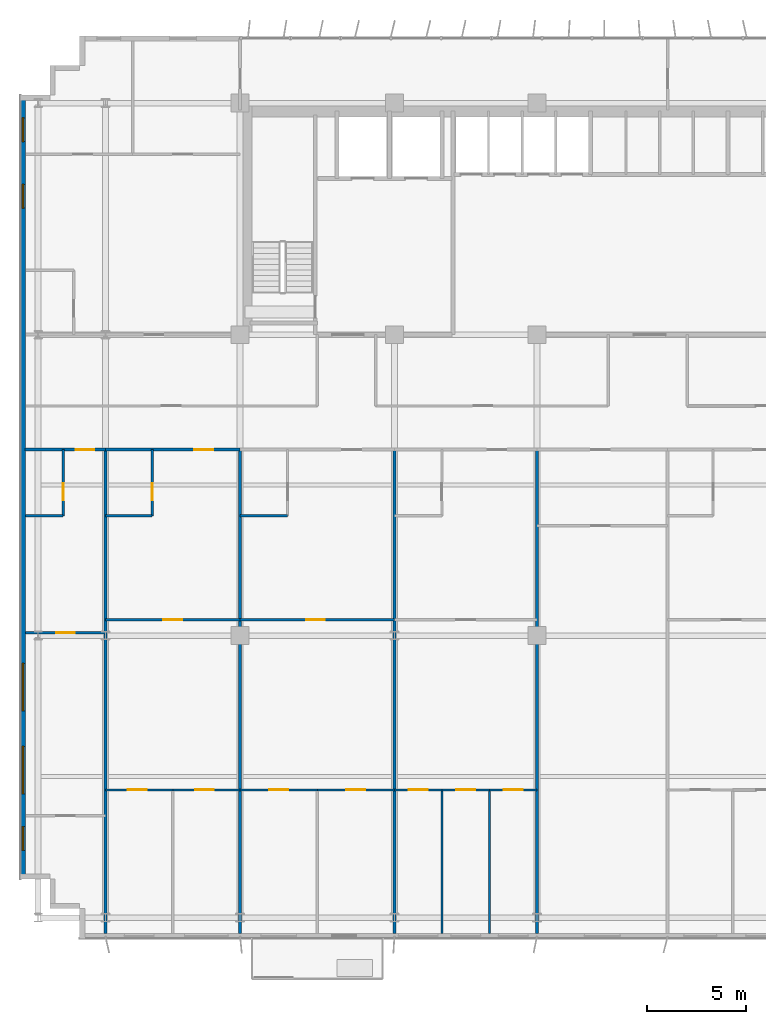
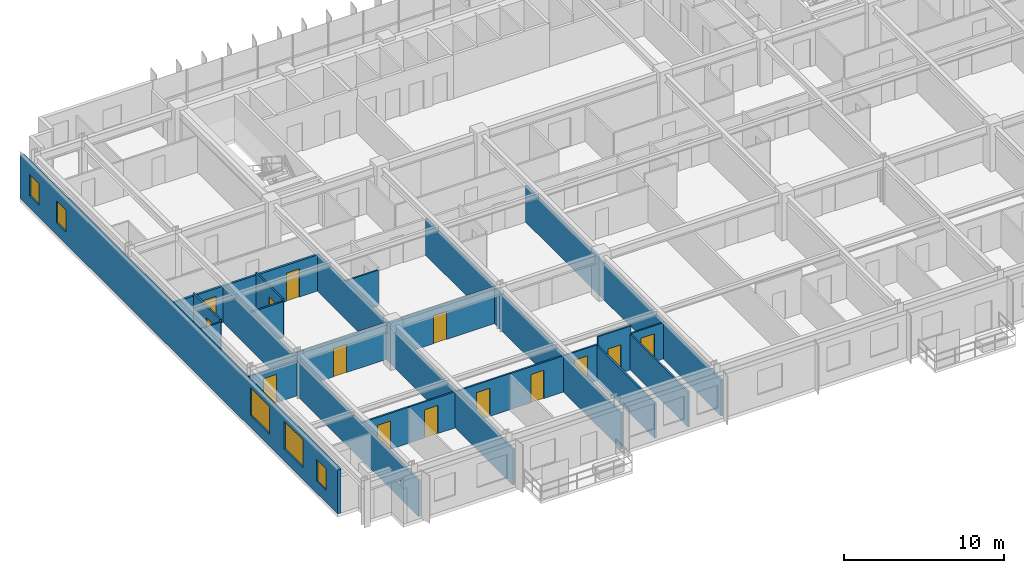
# One storey, part 15 of 24: 24 walls, 14 doors, 5 windows, 19 openings.
"""IFC4 building model written with IfcOpenShell, lengths in metres."""

from ifc_helpers import new_model, si_unit, direction, frame, frame_2d, origin, place, context, subcontext, project, spatial, rectangle, extrude, source, transform, mapped, material, layer, layer_set, type_object, element, fill, save


model = new_model("IFC4")

# Units and contexts
model_context = context("Model", 3, precision=1e-05, world=origin(), true_north=direction((0.0, 1.0)))
body_context = subcontext(model_context, "Body", "Model", "MODEL_VIEW")
ifc_project = project(units=[si_unit("LENGTHUNIT", "METRE"), si_unit("AREAUNIT", "SQUARE_METRE"), si_unit("VOLUMEUNIT", "CUBIC_METRE"), si_unit("PLANEANGLEUNIT", "RADIAN"), si_unit("MASSUNIT", "GRAM", prefix="KILO")], contexts=[model_context])

# Site, building, storey
site_placement = place(None, origin())
site = spatial("IfcSite", under=ifc_project, at=site_placement, CompositionType="ELEMENT")
building_placement = place(site_placement, origin())
building = spatial("IfcBuilding", under=site, at=building_placement, Name="Trelvane Seafront Commons", CompositionType="ELEMENT")
storey_placement = place(building_placement, frame((0.0, 0.0, 30.699951171875)))
storey = spatial("IfcBuildingStorey", under=building, at=storey_placement, Name="L07", CompositionType="ELEMENT", Elevation=30.699951171875)

# Wall, openings, windows
ifc_material_1 = material(Name="Precast concrete C40/50", Category="concrete")
ifc_layer_1 = layer(ifc_material_1, 0.260009765625, Name="ARCH-WALL-EXT260")
ifc_layer_set_1 = layer_set([ifc_layer_1], Name="Precast concrete C40/50")
wall_type_1 = type_object("IfcWallType", Name="ARCH-WALL-EXT260", PredefinedType="SOLIDWALL", material=ifc_layer_set_1)
wall_1_placement = place(storey_placement, frame((4.6298828125, 5.89990234375, 0.0), z_axis=(0.0, 0.0, 1.0), x_axis=(0.0, 1.0, 0.0)))
wall_1 = element("IfcWall", 1, at=wall_1_placement, inside=storey, type_object=wall_type_1, Name="EW-L07-00092", PredefinedType="SOLIDWALL", context=body_context, shape_type="SweptSolid", body=[
    extrude(rectangle(XDim=39.60009765625, YDim=0.260009765625, at=frame_2d((19.800048828125, 0.0))), origin(), (0.0, 0.0, 1.0), 3.340087890625),
])
opening_1_placement = place(wall_1_placement, frame((1.449951171875, 0.0, 0.919921875)))
opening_1 = element("IfcOpeningElement", 2, at=opening_1_placement, cuts=wall_1, Name="Opening W05", PredefinedType="OPENING", context=body_context, shape_type="SweptSolid", body=[
    extrude(rectangle(XDim=1.199951171875, YDim=1.64990234375, at=frame_2d((0.60009765625, 0.824951171875))), frame((0.0, 0.139892578125, 0.0), z_axis=(0.0, -1.0, 0.0), x_axis=(1.0, 0.0, 0.0)), (0.0, 0.0, 1.0), 0.280029296875),
])
opening_2_placement = place(wall_1_placement, frame((4.300048828125, 0.0, 0.919921875)))
opening_2 = element("IfcOpeningElement", 3, at=opening_2_placement, cuts=wall_1, Name="Opening W08", PredefinedType="OPENING", context=body_context, shape_type="SweptSolid", body=[
    extrude(rectangle(XDim=2.39990234375, YDim=2.10009765625, at=frame_2d((1.199951171875, 1.050048828125))), frame((0.0, 0.139892578125, 0.0), z_axis=(0.0, -1.0, 0.0), x_axis=(1.0, 0.0, 0.0)), (0.0, 0.0, 1.0), 0.280029296875),
])
opening_3_placement = place(wall_1_placement, frame((8.5, 0.0, 0.919921875)))
opening_3 = element("IfcOpeningElement", 4, at=opening_3_placement, cuts=wall_1, Name="Opening W08", PredefinedType="OPENING", context=body_context, shape_type="SweptSolid", body=[
    extrude(rectangle(XDim=2.39990234375, YDim=2.10009765625, at=frame_2d((1.199951171875, 1.050048828125))), frame((0.0, 0.139892578125, 0.0), z_axis=(0.0, -1.0, 0.0), x_axis=(1.0, 0.0, 0.0)), (0.0, 0.0, 1.0), 0.280029296875),
])
opening_4_placement = place(wall_1_placement, frame((33.89990234375, 0.0, 0.919921875)))
opening_4 = element("IfcOpeningElement", 5, at=opening_4_placement, cuts=wall_1, Name="Opening W05", PredefinedType="OPENING", context=body_context, shape_type="SweptSolid", body=[
    extrude(rectangle(XDim=1.199951171875, YDim=1.64990234375, at=frame_2d((0.60009765625, 0.824951171875))), frame((0.0, 0.139892578125, 0.0), z_axis=(0.0, -1.0, 0.0), x_axis=(1.0, 0.0, 0.0)), (0.0, 0.0, 1.0), 0.280029296875),
])
opening_5_placement = place(wall_1_placement, frame((37.25, 0.0, 0.919921875)))
opening_5 = element("IfcOpeningElement", 6, at=opening_5_placement, cuts=wall_1, Name="Opening W05", PredefinedType="OPENING", context=body_context, shape_type="SweptSolid", body=[
    extrude(rectangle(XDim=1.199951171875, YDim=1.64990234375, at=frame_2d((0.60009765625, 0.824951171875))), frame((0.0, 0.139892578125, 0.0), z_axis=(0.0, -1.0, 0.0), x_axis=(1.0, 0.0, 0.0)), (0.0, 0.0, 1.0), 0.280029296875),
])
ifc_material_2 = material(Name="Low-E coastal double glazing", Category="glass")
window_type_1 = type_object("IfcWindowType", Name="ARCH-WIN-W08", PartitioningType="SINGLE_PANEL", PredefinedType="WINDOW", material=ifc_material_2)
shared_shape_1 = source(origin(), body_context, "Body", "SweptSolid", [
    extrude(rectangle(XDim=2.39990234375, YDim=2.10009765625, at=frame_2d((1.199951171875, 1.050048828125))), frame((0.0, 0.030029296875, 0.0), z_axis=(0.0, -1.0, 0.0), x_axis=(1.0, 0.0, 0.0)), (0.0, 0.0, 1.0), 0.06005859375),
])
window_1_placement = place(opening_2_placement, origin())
window_1 = element("IfcWindow", 7, at=window_1_placement, inside=storey, type_object=window_type_1, Name="WIN-L07-EW-00133", OverallHeight=2.10009765625, OverallWidth=2.39990234375, PartitioningType="SINGLE_PANEL", PredefinedType="WINDOW", context=body_context, shape_type="MappedRepresentation", body=[
    mapped(shared_shape_1, transform((0.0, 0.0, 0.0), x_axis=(1.0, 0.0, 0.0), y_axis=(0.0, 1.0, 0.0), z_axis=(0.0, 0.0, 1.0), scale=1.0)),
])
fill(opening_2, window_1)
window_2_placement = place(opening_3_placement, origin())
window_2 = element("IfcWindow", 8, at=window_2_placement, inside=storey, type_object=window_type_1, Name="WIN-L07-EW-00134", OverallHeight=2.10009765625, OverallWidth=2.39990234375, PartitioningType="SINGLE_PANEL", PredefinedType="WINDOW", context=body_context, shape_type="MappedRepresentation", body=[
    mapped(shared_shape_1, transform((0.0, 0.0, 0.0), x_axis=(1.0, 0.0, 0.0), y_axis=(0.0, 1.0, 0.0), z_axis=(0.0, 0.0, 1.0), scale=1.0)),
])
fill(opening_3, window_2)
window_type_2 = type_object("IfcWindowType", Name="ARCH-WIN-W05", PartitioningType="SINGLE_PANEL", PredefinedType="WINDOW", material=ifc_material_2)
shared_shape_2 = source(origin(), body_context, "Body", "SweptSolid", [
    extrude(rectangle(XDim=1.199951171875, YDim=1.64990234375, at=frame_2d((0.60009765625, 0.824951171875))), frame((0.0, 0.030029296875, 0.0), z_axis=(0.0, -1.0, 0.0), x_axis=(1.0, 0.0, 0.0)), (0.0, 0.0, 1.0), 0.06005859375),
])
window_3_placement = place(opening_1_placement, origin())
window_3 = element("IfcWindow", 9, at=window_3_placement, inside=storey, type_object=window_type_2, Name="WIN-L07-EW-00132", OverallHeight=1.64990234375, OverallWidth=1.199951171875, PartitioningType="SINGLE_PANEL", PredefinedType="WINDOW", context=body_context, shape_type="MappedRepresentation", body=[
    mapped(shared_shape_2, transform((0.0, 0.0, 0.0), x_axis=(1.0, 0.0, 0.0), y_axis=(0.0, 1.0, 0.0), z_axis=(0.0, 0.0, 1.0), scale=1.0)),
])
fill(opening_1, window_3)
window_4_placement = place(opening_4_placement, origin())
window_4 = element("IfcWindow", 10, at=window_4_placement, inside=storey, type_object=window_type_2, Name="WIN-L07-EW-00135", OverallHeight=1.64990234375, OverallWidth=1.199951171875, PartitioningType="SINGLE_PANEL", PredefinedType="WINDOW", context=body_context, shape_type="MappedRepresentation", body=[
    mapped(shared_shape_2, transform((0.0, 0.0, 0.0), x_axis=(1.0, 0.0, 0.0), y_axis=(0.0, 1.0, 0.0), z_axis=(0.0, 0.0, 1.0), scale=1.0)),
])
fill(opening_4, window_4)
window_5_placement = place(opening_5_placement, origin())
window_5 = element("IfcWindow", 11, at=window_5_placement, inside=storey, type_object=window_type_2, Name="WIN-L07-EW-00136", OverallHeight=1.64990234375, OverallWidth=1.199951171875, PartitioningType="SINGLE_PANEL", PredefinedType="WINDOW", context=body_context, shape_type="MappedRepresentation", body=[
    mapped(shared_shape_2, transform((0.0, 0.0, 0.0), x_axis=(1.0, 0.0, 0.0), y_axis=(0.0, 1.0, 0.0), z_axis=(0.0, 0.0, 1.0), scale=1.0)),
])
fill(opening_5, window_5)

# Wall, opening, door
ifc_material_3 = material(Name="Gypsum Drywall Acoustic Partition")
ifc_layer_2 = layer(ifc_material_3, 0.1201171875, Name="ARCH-WALL-PART120")
ifc_layer_set_2 = layer_set([ifc_layer_2], Name="Gypsum Drywall Acoustic Partition")
wall_type_2 = type_object("IfcWallType", Name="ARCH-WALL-PART120", PredefinedType="PARTITIONING", material=ifc_layer_set_2)
wall_2_placement = place(storey_placement, frame((4.760009765625, 18.35009765625, 0.0), z_axis=(0.0, 0.0, 1.0), x_axis=(1.0, 0.0, 0.0)))
wall_2 = element("IfcWall", 12, at=wall_2_placement, inside=storey, type_object=wall_type_2, Name="W-L07-U1-KL-074", PredefinedType="PARTITIONING", context=body_context, shape_type="SweptSolid", body=[
    extrude(rectangle(XDim=4.0400390625, YDim=0.1201171875, at=frame_2d((2.02001953125, 0.0))), origin(), (0.0, 0.0, 1.0), 2.68994140625),
])
opening_6_placement = place(wall_2_placement, frame((1.544921875, 0.0, 0.0)))
opening_6 = element("IfcOpeningElement", 13, at=opening_6_placement, cuts=wall_2, Name="Opening D-L07-35", PredefinedType="OPENING", context=body_context, shape_type="SweptSolid", body=[
    extrude(rectangle(XDim=0.949951171875, YDim=2.14990234375, at=frame_2d((0.47509765625, 1.074951171875))), frame((0.0, 0.070068359375, 0.0), z_axis=(0.0, -1.0, 0.0), x_axis=(1.0, 0.0, 0.0)), (0.0, 0.0, 1.0), 0.14013671875),
])
ifc_material_4 = material(Name="Acoustic timber door leaf", Category="wood")
door_type_1 = type_object("IfcDoorType", Name="ARCH-DR-INT950", OperationType="NOTDEFINED", PredefinedType="DOOR", material=ifc_material_4)
shared_shape_3 = source(origin(), body_context, "Body", "SweptSolid", [
    extrude(rectangle(XDim=0.949951171875, YDim=2.14990234375, at=frame_2d((0.47509765625, 1.074951171875))), frame((0.0, 0.02490234375, 0.0), z_axis=(0.0, -1.0, 0.0), x_axis=(1.0, 0.0, 0.0)), (0.0, 0.0, 1.0), 0.050048828125),
])
door_1_placement = place(opening_6_placement, origin())
door_1 = element("IfcDoor", 14, at=door_1_placement, inside=storey, type_object=door_type_1, Name="L07 Door 35", OperationType="SINGLE_SWING_LEFT", OverallHeight=2.14990234375, OverallWidth=0.949951171875, PredefinedType="DOOR", context=body_context, shape_type="MappedRepresentation", body=[
    mapped(shared_shape_3, transform((0.0, 0.0, 0.0), x_axis=(1.0, 0.0, 0.0), y_axis=(0.0, 1.0, 0.0), z_axis=(0.0, 0.0, 1.0), scale=1.0)),
])
fill(opening_6, door_1)

wall_3_placement = place(storey_placement, frame((6.659912109375, 24.25, 0.0), z_axis=(0.0, 0.0, 1.0), x_axis=(0.0, 1.0, 0.0)))
wall_3 = element("IfcWall", 15, at=wall_3_placement, inside=storey, type_object=wall_type_2, Name="W-L07-U1-BE-075", PredefinedType="PARTITIONING", context=body_context, shape_type="SweptSolid", body=[
    extrude(rectangle(XDim=3.35009765625, YDim=0.1201171875, at=frame_2d((1.675048828125, 0.0))), origin(), (0.0, 0.0, 1.0), 2.93994140625),
])
opening_7_placement = place(wall_3_placement, frame((0.800048828125, 0.0, 0.0)))
opening_7 = element("IfcOpeningElement", 16, at=opening_7_placement, cuts=wall_3, Name="Opening D-L07-36", PredefinedType="OPENING", context=body_context, shape_type="SweptSolid", body=[
    extrude(rectangle(XDim=0.85009765625, YDim=2.10009765625, at=frame_2d((0.425048828125, 1.050048828125))), frame((0.0, 0.070068359375, 0.0), z_axis=(0.0, -1.0, 0.0), x_axis=(1.0, 0.0, 0.0)), (0.0, 0.0, 1.0), 0.14013671875),
])
door_type_2 = type_object("IfcDoorType", Name="ARCH-DR-INT850", OperationType="NOTDEFINED", PredefinedType="DOOR", material=ifc_material_4)
shared_shape_4 = source(origin(), body_context, "Body", "SweptSolid", [
    extrude(rectangle(XDim=0.85009765625, YDim=2.10009765625, at=frame_2d((0.425048828125, 1.050048828125))), frame((0.0, 0.02490234375, 0.0), z_axis=(0.0, -1.0, 0.0), x_axis=(1.0, 0.0, 0.0)), (0.0, 0.0, 1.0), 0.050048828125),
])
door_2_placement = place(opening_7_placement, origin())
door_2 = element("IfcDoor", 17, at=door_2_placement, inside=storey, type_object=door_type_2, Name="L07 Door 36", OperationType="SINGLE_SWING_RIGHT", OverallHeight=2.10009765625, OverallWidth=0.85009765625, PredefinedType="DOOR", context=body_context, shape_type="MappedRepresentation", body=[
    mapped(shared_shape_4, transform((0.0, 0.0, 0.0), x_axis=(1.0, 0.0, 0.0), y_axis=(0.0, 1.0, 0.0), z_axis=(0.0, 0.0, 1.0), scale=1.0)),
])
fill(opening_7, door_2)

# Wall
wall_4_placement = place(storey_placement, frame((4.760009765625, 24.25, 0.0), z_axis=(0.0, 0.0, 1.0), x_axis=(1.0, 0.0, 0.0)))
element("IfcWall", 18, at=wall_4_placement, inside=storey, type_object=wall_type_2, Name="W-L07-U1-BS-076", PredefinedType="PARTITIONING", context=body_context, shape_type="SweptSolid", body=[
    extrude(rectangle(XDim=1.89990234375, YDim=0.1201171875, at=frame_2d((0.949951171875, 0.0))), origin(), (0.0, 0.0, 1.0), 2.751953125),
])

# Wall, opening, door
wall_5_placement = place(storey_placement, frame((8.800048828125, 19.0, 0.0), z_axis=(0.0, 0.0, 1.0), x_axis=(1.0, 0.0, 0.0)))
wall_5 = element("IfcWall", 19, at=wall_5_placement, inside=storey, type_object=wall_type_2, Name="W-L07-U2-KL-079", PredefinedType="PARTITIONING", context=body_context, shape_type="SweptSolid", body=[
    extrude(rectangle(XDim=6.800048828125, YDim=0.1201171875, at=frame_2d((3.39990234375, 0.0))), origin(), (0.0, 0.0, 1.0), 2.751953125),
])
opening_8_placement = place(wall_5_placement, frame((2.925048828125, 0.0, 0.0)))
opening_8 = element("IfcOpeningElement", 20, at=opening_8_placement, cuts=wall_5, Name="Opening D-L07-39", PredefinedType="OPENING", context=body_context, shape_type="SweptSolid", body=[
    extrude(rectangle(XDim=0.949951171875, YDim=2.14990234375, at=frame_2d((0.47509765625, 1.074951171875))), frame((0.0, 0.070068359375, 0.0), z_axis=(0.0, -1.0, 0.0), x_axis=(1.0, 0.0, 0.0)), (0.0, 0.0, 1.0), 0.14013671875),
])
door_3_placement = place(opening_8_placement, origin())
door_3 = element("IfcDoor", 21, at=door_3_placement, inside=storey, type_object=door_type_1, Name="L07 Door 39", OperationType="SINGLE_SWING_LEFT", OverallHeight=2.14990234375, OverallWidth=0.949951171875, PredefinedType="DOOR", context=body_context, shape_type="MappedRepresentation", body=[
    mapped(shared_shape_3, transform((0.0, 0.0, 0.0), x_axis=(1.0, 0.0, 0.0), y_axis=(0.0, 1.0, 0.0), z_axis=(0.0, 0.0, 1.0), scale=1.0)),
])
fill(opening_8, door_3)

wall_6_placement = place(storey_placement, frame((11.162109375, 24.25, 0.0), z_axis=(0.0, 0.0, 1.0), x_axis=(0.0, 1.0, 0.0)))
wall_6 = element("IfcWall", 22, at=wall_6_placement, inside=storey, type_object=wall_type_2, Name="W-L07-U2-BE-080", PredefinedType="PARTITIONING", context=body_context, shape_type="SweptSolid", body=[
    extrude(rectangle(XDim=3.35009765625, YDim=0.1201171875, at=frame_2d((1.675048828125, 0.0))), origin(), (0.0, 0.0, 1.0), 2.93994140625),
])
opening_9_placement = place(wall_6_placement, frame((0.800048828125, 0.0, 0.0)))
opening_9 = element("IfcOpeningElement", 23, at=opening_9_placement, cuts=wall_6, Name="Opening D-L07-40", PredefinedType="OPENING", context=body_context, shape_type="SweptSolid", body=[
    extrude(rectangle(XDim=0.85009765625, YDim=2.10009765625, at=frame_2d((0.425048828125, 1.050048828125))), frame((0.0, 0.070068359375, 0.0), z_axis=(0.0, -1.0, 0.0), x_axis=(1.0, 0.0, 0.0)), (0.0, 0.0, 1.0), 0.14013671875),
])
door_4_placement = place(opening_9_placement, origin())
door_4 = element("IfcDoor", 24, at=door_4_placement, inside=storey, type_object=door_type_2, Name="L07 Door 40", OperationType="SINGLE_SWING_RIGHT", OverallHeight=2.10009765625, OverallWidth=0.85009765625, PredefinedType="DOOR", context=body_context, shape_type="MappedRepresentation", body=[
    mapped(shared_shape_4, transform((0.0, 0.0, 0.0), x_axis=(1.0, 0.0, 0.0), y_axis=(0.0, 1.0, 0.0), z_axis=(0.0, 0.0, 1.0), scale=1.0)),
])
fill(opening_9, door_4)

# Wall
wall_7_placement = place(storey_placement, frame((8.800048828125, 24.25, 0.0), z_axis=(0.0, 0.0, 1.0), x_axis=(1.0, 0.0, 0.0)))
element("IfcWall", 25, at=wall_7_placement, inside=storey, type_object=wall_type_2, Name="W-L07-U2-BS-081", PredefinedType="PARTITIONING", context=body_context, shape_type="SweptSolid", body=[
    extrude(rectangle(XDim=2.362060546875, YDim=0.1201171875, at=frame_2d((1.18115234375, 0.0))), origin(), (0.0, 0.0, 1.0), 2.751953125),
])

# Wall, opening, door
wall_8_placement = place(storey_placement, frame((8.800048828125, 10.39990234375, 0.0), z_axis=(0.0, 0.0, 1.0), x_axis=(1.0, 0.0, 0.0)))
wall_8 = element("IfcWall", 26, at=wall_8_placement, inside=storey, type_object=wall_type_2, Name="W-L07-U2-YM-1-083", PredefinedType="PARTITIONING", context=body_context, shape_type="SweptSolid", body=[
    extrude(rectangle(XDim=3.39990234375, YDim=0.1201171875, at=frame_2d((1.699951171875, 0.0))), origin(), (0.0, 0.0, 1.0), 2.751953125),
])
opening_10_placement = place(wall_8_placement, frame((1.131103515625, 0.0, 0.0)))
opening_10 = element("IfcOpeningElement", 27, at=opening_10_placement, cuts=wall_8, Name="Opening D-L07-42", PredefinedType="OPENING", context=body_context, shape_type="SweptSolid", body=[
    extrude(rectangle(XDim=0.949951171875, YDim=2.14990234375, at=frame_2d((0.47509765625, 1.074951171875))), frame((0.0, 0.070068359375, 0.0), z_axis=(0.0, -1.0, 0.0), x_axis=(1.0, 0.0, 0.0)), (0.0, 0.0, 1.0), 0.14013671875),
])
door_5_placement = place(opening_10_placement, origin())
door_5 = element("IfcDoor", 28, at=door_5_placement, inside=storey, type_object=door_type_1, Name="L07 Door 42", OperationType="SINGLE_SWING_RIGHT", OverallHeight=2.14990234375, OverallWidth=0.949951171875, PredefinedType="DOOR", context=body_context, shape_type="MappedRepresentation", body=[
    mapped(shared_shape_3, transform((0.0, 0.0, 0.0), x_axis=(1.0, 0.0, 0.0), y_axis=(0.0, 1.0, 0.0), z_axis=(0.0, 0.0, 1.0), scale=1.0)),
])
fill(opening_10, door_5)

wall_9_placement = place(storey_placement, frame((12.199951171875, 10.39990234375, 0.0), z_axis=(0.0, 0.0, 1.0), x_axis=(1.0, 0.0, 0.0)))
wall_9 = element("IfcWall", 29, at=wall_9_placement, inside=storey, type_object=wall_type_2, Name="W-L07-U2-YM-2-084", PredefinedType="PARTITIONING", context=body_context, shape_type="SweptSolid", body=[
    extrude(rectangle(XDim=3.400146484375, YDim=0.1201171875, at=frame_2d((1.7001953125, 0.0))), origin(), (0.0, 0.0, 1.0), 2.751953125),
])
opening_11_placement = place(wall_9_placement, frame((1.131103515625, 0.0, 0.0)))
opening_11 = element("IfcOpeningElement", 30, at=opening_11_placement, cuts=wall_9, Name="Opening D-L07-43", PredefinedType="OPENING", context=body_context, shape_type="SweptSolid", body=[
    extrude(rectangle(XDim=0.949951171875, YDim=2.14990234375, at=frame_2d((0.47509765625, 1.074951171875))), frame((0.0, 0.070068359375, 0.0), z_axis=(0.0, -1.0, 0.0), x_axis=(1.0, 0.0, 0.0)), (0.0, 0.0, 1.0), 0.14013671875),
])
door_6_placement = place(opening_11_placement, origin())
door_6 = element("IfcDoor", 31, at=door_6_placement, inside=storey, type_object=door_type_1, Name="L07 Door 43", OperationType="SINGLE_SWING_LEFT", OverallHeight=2.14990234375, OverallWidth=0.949951171875, PredefinedType="DOOR", context=body_context, shape_type="MappedRepresentation", body=[
    mapped(shared_shape_3, transform((0.0, 0.0, 0.0), x_axis=(1.0, 0.0, 0.0), y_axis=(0.0, 1.0, 0.0), z_axis=(0.0, 0.0, 1.0), scale=1.0)),
])
fill(opening_11, door_6)

wall_10_placement = place(storey_placement, frame((15.60009765625, 19.0, 0.0), z_axis=(0.0, 0.0, 1.0), x_axis=(1.0, 0.0, 0.0)))
wall_10 = element("IfcWall", 32, at=wall_10_placement, inside=storey, type_object=wall_type_2, Name="W-L07-U3-KL-086", PredefinedType="PARTITIONING", context=body_context, shape_type="SweptSolid", body=[
    extrude(rectangle(XDim=7.7998046875, YDim=0.1201171875, at=frame_2d((3.89990234375, 0.0))), origin(), (0.0, 0.0, 1.0), 2.751953125),
])
opening_12_placement = place(wall_10_placement, frame((3.3330078125, 0.0, 0.0)))
opening_12 = element("IfcOpeningElement", 33, at=opening_12_placement, cuts=wall_10, Name="Opening D-L07-44", PredefinedType="OPENING", context=body_context, shape_type="SweptSolid", body=[
    extrude(rectangle(XDim=0.949951171875, YDim=2.14990234375, at=frame_2d((0.47509765625, 1.074951171875))), frame((0.0, 0.070068359375, 0.0), z_axis=(0.0, -1.0, 0.0), x_axis=(1.0, 0.0, 0.0)), (0.0, 0.0, 1.0), 0.14013671875),
])
door_7_placement = place(opening_12_placement, origin())
door_7 = element("IfcDoor", 34, at=door_7_placement, inside=storey, type_object=door_type_1, Name="L07 Door 44", OperationType="SINGLE_SWING_RIGHT", OverallHeight=2.14990234375, OverallWidth=0.949951171875, PredefinedType="DOOR", context=body_context, shape_type="MappedRepresentation", body=[
    mapped(shared_shape_3, transform((0.0, 0.0, 0.0), x_axis=(1.0, 0.0, 0.0), y_axis=(0.0, 1.0, 0.0), z_axis=(0.0, 0.0, 1.0), scale=1.0)),
])
fill(opening_12, door_7)

# Wall
wall_11_placement = place(storey_placement, frame((15.60009765625, 24.25, 0.0), z_axis=(0.0, 0.0, 1.0), x_axis=(1.0, 0.0, 0.0)))
element("IfcWall", 35, at=wall_11_placement, inside=storey, type_object=wall_type_2, Name="W-L07-U3-BS-088", PredefinedType="PARTITIONING", context=body_context, shape_type="SweptSolid", body=[
    extrude(rectangle(XDim=2.39990234375, YDim=0.1201171875, at=frame_2d((1.199951171875, 0.0))), origin(), (0.0, 0.0, 1.0), 2.751953125),
])

# Wall, opening, door
wall_12_placement = place(storey_placement, frame((15.60009765625, 10.39990234375, 0.0), z_axis=(0.0, 0.0, 1.0), x_axis=(1.0, 0.0, 0.0)))
wall_12 = element("IfcWall", 36, at=wall_12_placement, inside=storey, type_object=wall_type_2, Name="W-L07-U3-YM-1-090", PredefinedType="PARTITIONING", context=body_context, shape_type="SweptSolid", body=[
    extrude(rectangle(XDim=3.89990234375, YDim=0.1201171875, at=frame_2d((1.949951171875, 0.0))), origin(), (0.0, 0.0, 1.0), 2.751953125),
])
opening_13_placement = place(wall_12_placement, frame((1.47509765625, 0.0, 0.0)))
opening_13 = element("IfcOpeningElement", 37, at=opening_13_placement, cuts=wall_12, Name="Opening D-L07-47", PredefinedType="OPENING", context=body_context, shape_type="SweptSolid", body=[
    extrude(rectangle(XDim=0.949951171875, YDim=2.14990234375, at=frame_2d((0.47509765625, 1.074951171875))), frame((0.0, 0.070068359375, 0.0), z_axis=(0.0, -1.0, 0.0), x_axis=(1.0, 0.0, 0.0)), (0.0, 0.0, 1.0), 0.14013671875),
])
door_8_placement = place(opening_13_placement, origin())
door_8 = element("IfcDoor", 38, at=door_8_placement, inside=storey, type_object=door_type_1, Name="L07 Door 47", OperationType="SINGLE_SWING_LEFT", OverallHeight=2.14990234375, OverallWidth=0.949951171875, PredefinedType="DOOR", context=body_context, shape_type="MappedRepresentation", body=[
    mapped(shared_shape_3, transform((0.0, 0.0, 0.0), x_axis=(1.0, 0.0, 0.0), y_axis=(0.0, 1.0, 0.0), z_axis=(0.0, 0.0, 1.0), scale=1.0)),
])
fill(opening_13, door_8)

wall_13_placement = place(storey_placement, frame((19.5, 10.39990234375, 0.0), z_axis=(0.0, 0.0, 1.0), x_axis=(1.0, 0.0, 0.0)))
wall_13 = element("IfcWall", 39, at=wall_13_placement, inside=storey, type_object=wall_type_2, Name="W-L07-U3-YM-2-091", PredefinedType="PARTITIONING", context=body_context, shape_type="SweptSolid", body=[
    extrude(rectangle(XDim=3.89990234375, YDim=0.1201171875, at=frame_2d((1.949951171875, 0.0))), origin(), (0.0, 0.0, 1.0), 2.751953125),
])
opening_14_placement = place(wall_13_placement, frame((1.47509765625, 0.0, 0.0)))
opening_14 = element("IfcOpeningElement", 40, at=opening_14_placement, cuts=wall_13, Name="Opening D-L07-48", PredefinedType="OPENING", context=body_context, shape_type="SweptSolid", body=[
    extrude(rectangle(XDim=0.949951171875, YDim=2.14990234375, at=frame_2d((0.47509765625, 1.074951171875))), frame((0.0, 0.070068359375, 0.0), z_axis=(0.0, -1.0, 0.0), x_axis=(1.0, 0.0, 0.0)), (0.0, 0.0, 1.0), 0.14013671875),
])
door_9_placement = place(opening_14_placement, origin())
door_9 = element("IfcDoor", 41, at=door_9_placement, inside=storey, type_object=door_type_1, Name="L07 Door 48", OperationType="SINGLE_SWING_RIGHT", OverallHeight=2.14990234375, OverallWidth=0.949951171875, PredefinedType="DOOR", context=body_context, shape_type="MappedRepresentation", body=[
    mapped(shared_shape_3, transform((0.0, 0.0, 0.0), x_axis=(1.0, 0.0, 0.0), y_axis=(0.0, 1.0, 0.0), z_axis=(0.0, 0.0, 1.0), scale=1.0)),
])
fill(opening_14, door_9)

wall_14_placement = place(storey_placement, frame((23.39990234375, 10.39990234375, 0.0), z_axis=(0.0, 0.0, 1.0), x_axis=(1.0, 0.0, 0.0)))
wall_14 = element("IfcWall", 42, at=wall_14_placement, inside=storey, type_object=wall_type_2, Name="W-L07-U4-YM-1-097", PredefinedType="PARTITIONING", context=body_context, shape_type="SweptSolid", body=[
    extrude(rectangle(XDim=2.400146484375, YDim=0.1201171875, at=frame_2d((1.2001953125, 0.0))), origin(), (0.0, 0.0, 1.0), 2.751953125),
])
opening_15_placement = place(wall_14_placement, frame((0.72509765625, 0.0, 0.0)))
opening_15 = element("IfcOpeningElement", 43, at=opening_15_placement, cuts=wall_14, Name="Opening D-L07-52", PredefinedType="OPENING", context=body_context, shape_type="SweptSolid", body=[
    extrude(rectangle(XDim=0.949951171875, YDim=2.14990234375, at=frame_2d((0.47509765625, 1.074951171875))), frame((0.0, 0.070068359375, 0.0), z_axis=(0.0, -1.0, 0.0), x_axis=(1.0, 0.0, 0.0)), (0.0, 0.0, 1.0), 0.14013671875),
])
door_10_placement = place(opening_15_placement, origin())
door_10 = element("IfcDoor", 44, at=door_10_placement, inside=storey, type_object=door_type_1, Name="L07 Door 52", OperationType="SINGLE_SWING_RIGHT", OverallHeight=2.14990234375, OverallWidth=0.949951171875, PredefinedType="DOOR", context=body_context, shape_type="MappedRepresentation", body=[
    mapped(shared_shape_3, transform((0.0, 0.0, 0.0), x_axis=(1.0, 0.0, 0.0), y_axis=(0.0, 1.0, 0.0), z_axis=(0.0, 0.0, 1.0), scale=1.0)),
])
fill(opening_15, door_10)

wall_15_placement = place(storey_placement, frame((25.800048828125, 10.39990234375, 0.0), z_axis=(0.0, 0.0, 1.0), x_axis=(1.0, 0.0, 0.0)))
wall_15 = element("IfcWall", 45, at=wall_15_placement, inside=storey, type_object=wall_type_2, Name="W-L07-U4-YM-2-098", PredefinedType="PARTITIONING", context=body_context, shape_type="SweptSolid", body=[
    extrude(rectangle(XDim=2.39990234375, YDim=0.1201171875, at=frame_2d((1.199951171875, 0.0))), origin(), (0.0, 0.0, 1.0), 3.340087890625),
])
opening_16_placement = place(wall_15_placement, frame((0.72509765625, 0.0, 0.0)))
opening_16 = element("IfcOpeningElement", 46, at=opening_16_placement, cuts=wall_15, Name="Opening D-L07-53", PredefinedType="OPENING", context=body_context, shape_type="SweptSolid", body=[
    extrude(rectangle(XDim=0.949951171875, YDim=2.14990234375, at=frame_2d((0.47509765625, 1.074951171875))), frame((0.0, 0.070068359375, 0.0), z_axis=(0.0, -1.0, 0.0), x_axis=(1.0, 0.0, 0.0)), (0.0, 0.0, 1.0), 0.14013671875),
])
door_11_placement = place(opening_16_placement, origin())
door_11 = element("IfcDoor", 47, at=door_11_placement, inside=storey, type_object=door_type_1, Name="L07 Door 53", OperationType="SINGLE_SWING_LEFT", OverallHeight=2.14990234375, OverallWidth=0.949951171875, PredefinedType="DOOR", context=body_context, shape_type="MappedRepresentation", body=[
    mapped(shared_shape_3, transform((0.0, 0.0, 0.0), x_axis=(1.0, 0.0, 0.0), y_axis=(0.0, 1.0, 0.0), z_axis=(0.0, 0.0, 1.0), scale=1.0)),
])
fill(opening_16, door_11)

# Wall
wall_16_placement = place(storey_placement, frame((25.800048828125, 3.14501953125, 0.0), z_axis=(0.0, 0.0, 1.0), x_axis=(0.0, 1.0, 0.0)))
element("IfcWall", 48, at=wall_16_placement, inside=storey, type_object=wall_type_2, Name="W-L07-U4-BDV-1-099", PredefinedType="PARTITIONING", context=body_context, shape_type="SweptSolid", body=[
    extrude(rectangle(XDim=7.2548828125, YDim=0.1201171875, at=frame_2d((3.62744140625, 0.0))), origin(), (0.0, 0.0, 1.0), 2.68994140625),
])

# Wall, opening, door
wall_17_placement = place(storey_placement, frame((28.199951171875, 10.39990234375, 0.0), z_axis=(0.0, 0.0, 1.0), x_axis=(1.0, 0.0, 0.0)))
wall_17 = element("IfcWall", 49, at=wall_17_placement, inside=storey, type_object=wall_type_2, Name="W-L07-U4-YM-3-100", PredefinedType="PARTITIONING", context=body_context, shape_type="SweptSolid", body=[
    extrude(rectangle(XDim=2.400146484375, YDim=0.1201171875, at=frame_2d((1.2001953125, 0.0))), origin(), (0.0, 0.0, 1.0), 2.751953125),
])
opening_17_placement = place(wall_17_placement, frame((0.72509765625, 0.0, 0.0)))
opening_17 = element("IfcOpeningElement", 50, at=opening_17_placement, cuts=wall_17, Name="Opening D-L07-54", PredefinedType="OPENING", context=body_context, shape_type="SweptSolid", body=[
    extrude(rectangle(XDim=0.949951171875, YDim=2.14990234375, at=frame_2d((0.47509765625, 1.074951171875))), frame((0.0, 0.070068359375, 0.0), z_axis=(0.0, -1.0, 0.0), x_axis=(1.0, 0.0, 0.0)), (0.0, 0.0, 1.0), 0.14013671875),
])
door_12_placement = place(opening_17_placement, origin())
door_12 = element("IfcDoor", 51, at=door_12_placement, inside=storey, type_object=door_type_1, Name="L07 Door 54", OperationType="SINGLE_SWING_RIGHT", OverallHeight=2.14990234375, OverallWidth=0.949951171875, PredefinedType="DOOR", context=body_context, shape_type="MappedRepresentation", body=[
    mapped(shared_shape_3, transform((0.0, 0.0, 0.0), x_axis=(1.0, 0.0, 0.0), y_axis=(0.0, 1.0, 0.0), z_axis=(0.0, 0.0, 1.0), scale=1.0)),
])
fill(opening_17, door_12)

# Walls
wall_18_placement = place(storey_placement, frame((28.199951171875, 3.14501953125, 0.0), z_axis=(0.0, 0.0, 1.0), x_axis=(0.0, 1.0, 0.0)))
element("IfcWall", 52, at=wall_18_placement, inside=storey, type_object=wall_type_2, Name="W-L07-U4-BDV-2-101", PredefinedType="PARTITIONING", context=body_context, shape_type="SweptSolid", body=[
    extrude(rectangle(XDim=7.2548828125, YDim=0.1201171875, at=frame_2d((3.62744140625, 0.0))), origin(), (0.0, 0.0, 1.0), 2.68994140625),
])
ifc_layer_3 = layer(ifc_material_3, 0.14990234375, Name="ARCH-WALL-PART150")
ifc_layer_set_3 = layer_set([ifc_layer_3], Name="Gypsum Drywall Acoustic Partition")
wall_type_3 = type_object("IfcWallType", Name="ARCH-WALL-PART150", PredefinedType="PARTITIONING", material=ifc_layer_set_3)
for number, where, z_axis, x_axis, name in (
    (53, (8.800048828125, 3.14501953125, 0.0), (0.0, 0.0, 1.0), (0.0, 1.0, 0.0), "W-L07-PW-1-065"),
    (54, (15.60009765625, 3.14501953125, 0.0), (0.0, 0.0, 1.0), (0.0, 1.0, 0.0), "W-L07-PW-2-066"),
    (55, (23.39990234375, 3.14501953125, 0.0), (0.0, 0.0, 1.0), (0.0, 1.0, 0.0), "W-L07-PW-3-067"),
    (56, (30.60009765625, 3.14501953125, 0.0), (0.0, 0.0, 1.0), (0.0, 1.0, 0.0), "W-L07-PW-4-068"),
):
    element("IfcWall", number, at=place(storey_placement, frame(where, z_axis=z_axis, x_axis=x_axis)), inside=storey, type_object=wall_type_3, Name=name, PredefinedType="PARTITIONING", context=body_context, shape_type="SweptSolid", body=[
        extrude(rectangle(XDim=24.455078125, YDim=0.14990234375, at=frame_2d((12.2275390625, 0.0))), origin(), (0.0, 0.0, 1.0), 2.751953125),
    ])

# Wall, opening, door
wall_19_placement = place(storey_placement, frame((4.7451171875, 27.60009765625, 0.0), z_axis=(0.0, 0.0, 1.0), x_axis=(1.0, 0.0, 0.0)))
wall_19 = element("IfcWall", 57, at=wall_19_placement, inside=storey, type_object=wall_type_3, Name="W-L07-CS-BAY-1-077", PredefinedType="PARTITIONING", context=body_context, shape_type="SweptSolid", body=[
    extrude(rectangle(XDim=4.054931640625, YDim=0.14990234375, at=frame_2d((2.02734375, 0.0))), origin(), (0.0, 0.0, 1.0), 2.751953125),
])
opening_18_placement = place(wall_19_placement, frame((2.5439453125, 0.0, 0.0)))
opening_18 = element("IfcOpeningElement", 58, at=opening_18_placement, cuts=wall_19, Name="Opening FD-L07-37", PredefinedType="OPENING", context=body_context, shape_type="SweptSolid", body=[
    extrude(rectangle(XDim=0.949951171875, YDim=2.14990234375, at=frame_2d((0.47509765625, 1.074951171875))), frame((0.0, 0.0849609375, 0.0), z_axis=(0.0, -1.0, 0.0), x_axis=(1.0, 0.0, 0.0)), (0.0, 0.0, 1.0), 0.169921875),
])
ifc_material_5 = material(Name="Powder-coated aluminium frame", Category="aluminium")
door_type_3 = type_object("IfcDoorType", Name="ARCH-DR-FD60-950", OperationType="NOTDEFINED", PredefinedType="DOOR", material=ifc_material_5)
door_13_placement = place(opening_18_placement, origin())
door_13 = element("IfcDoor", 59, at=door_13_placement, inside=storey, type_object=door_type_3, Name="L07 Unit 01 Entrance Door", OperationType="SINGLE_SWING_LEFT", OverallHeight=2.14990234375, OverallWidth=0.949951171875, PredefinedType="DOOR", context=body_context, shape_type="MappedRepresentation", body=[
    mapped(shared_shape_3, transform((0.0, 0.0, 0.0), x_axis=(1.0, 0.0, 0.0), y_axis=(0.0, 1.0, 0.0), z_axis=(0.0, 0.0, 1.0), scale=1.0)),
])
fill(opening_18, door_13)

wall_20_placement = place(storey_placement, frame((8.800048828125, 27.60009765625, 0.0), z_axis=(0.0, 0.0, 1.0), x_axis=(1.0, 0.0, 0.0)))
wall_20 = element("IfcWall", 60, at=wall_20_placement, inside=storey, type_object=wall_type_3, Name="W-L07-CS-BAY-2-082", PredefinedType="PARTITIONING", context=body_context, shape_type="SweptSolid", body=[
    extrude(rectangle(XDim=6.800048828125, YDim=0.14990234375, at=frame_2d((3.39990234375, 0.0))), origin(), (0.0, 0.0, 1.0), 2.751953125),
])
opening_19_placement = place(wall_20_placement, frame((4.489990234375, 0.0, 0.0)))
opening_19 = element("IfcOpeningElement", 61, at=opening_19_placement, cuts=wall_20, Name="Opening FD-L07-41", PredefinedType="OPENING", context=body_context, shape_type="SweptSolid", body=[
    extrude(rectangle(XDim=0.949951171875, YDim=2.14990234375, at=frame_2d((0.47509765625, 1.074951171875))), frame((0.0, 0.0849609375, 0.0), z_axis=(0.0, -1.0, 0.0), x_axis=(1.0, 0.0, 0.0)), (0.0, 0.0, 1.0), 0.169921875),
])
door_14_placement = place(opening_19_placement, origin())
door_14 = element("IfcDoor", 62, at=door_14_placement, inside=storey, type_object=door_type_3, Name="L07 Unit 02 Entrance Door", OperationType="SINGLE_SWING_LEFT", OverallHeight=2.14990234375, OverallWidth=0.949951171875, PredefinedType="DOOR", context=body_context, shape_type="MappedRepresentation", body=[
    mapped(shared_shape_3, transform((0.0, 0.0, 0.0), x_axis=(1.0, 0.0, 0.0), y_axis=(0.0, 1.0, 0.0), z_axis=(0.0, 0.0, 1.0), scale=1.0)),
])
fill(opening_19, door_14)

save(model, "model.ifc")
